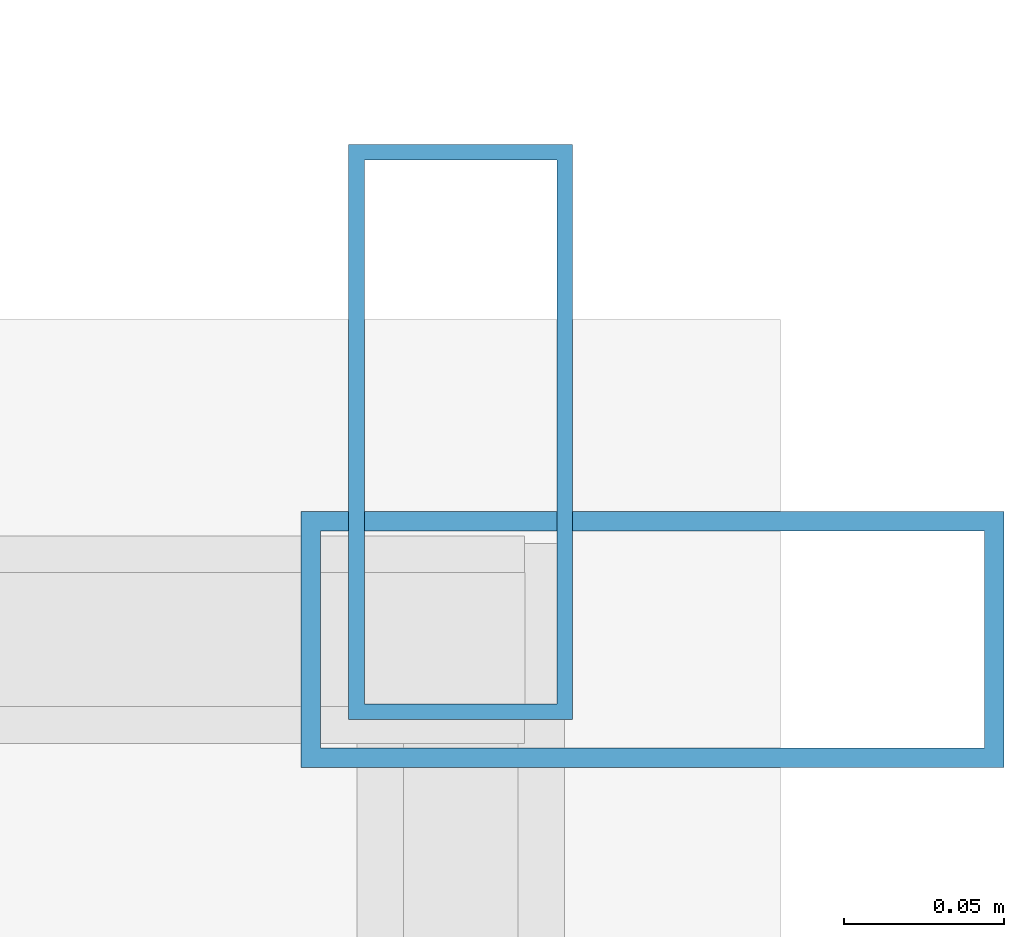
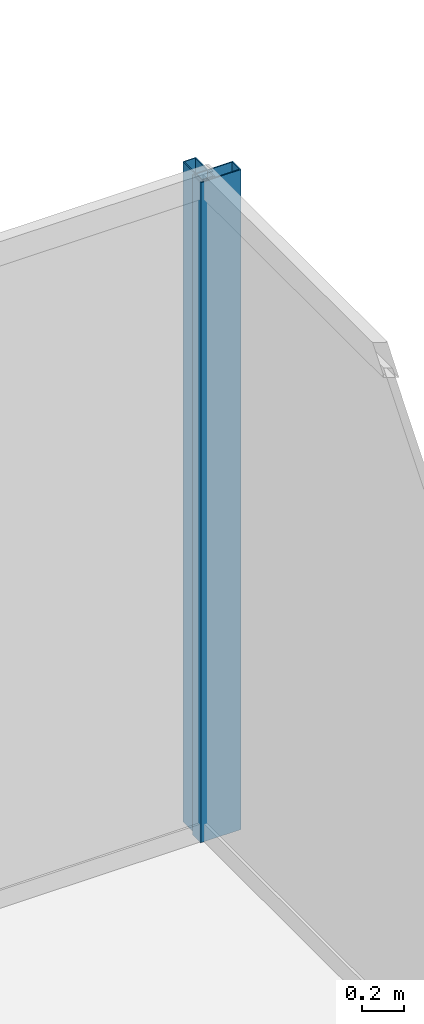
# One storey, part 26 of 35: 2 members, 2 elements without a shape of their own.
"""IFC4 building model written with IfcOpenShell, lengths in metres."""

from ifc_helpers import new_model, si_unit, direction, frame, origin, origin_2d, place, context, subcontext, project, spatial, hollow_rectangle, extrude, source, transform, mapped, material, layer, layer_set, material_profile, profile_set, type_object, type_shapes, element, aggregate, save


model = new_model("IFC4")

# Units and contexts
model_context = context("Model", 3, precision=1e-05, world=origin(), true_north=direction((0.0, 1.0)))
body_context = subcontext(model_context, "Body", "Model", "MODEL_VIEW")
ifc_project = project(units=[si_unit("LENGTHUNIT", "METRE"), si_unit("AREAUNIT", "SQUARE_METRE"), si_unit("VOLUMEUNIT", "CUBIC_METRE"), si_unit("PLANEANGLEUNIT", "RADIAN"), si_unit("MASSUNIT", "GRAM", prefix="KILO")], contexts=[model_context])

# Site, building, storey
site_placement = place(None, origin())
site = spatial("IfcSite", under=ifc_project, at=site_placement, CompositionType="ELEMENT")
building_placement = place(site_placement, origin())
building = spatial("IfcBuilding", under=site, at=building_placement, Name="Haelvirn Gate Laboratories", CompositionType="ELEMENT")
storey_placement = place(building_placement, frame((0.0, 0.0, 221.89990234375)))
storey = spatial("IfcBuildingStorey", under=building, at=storey_placement, Name="L53", CompositionType="ELEMENT", Elevation=221.89990234375)

# Curtain wall, member
ifc_material_1 = material(Name="Anodised bronze unitised aluminium & triple low-E glass", Category="aluminium")
ifc_layer_1 = layer(ifc_material_1, 0.176025390625, Name="CW-SYS-4")
ifc_layer_set_1 = layer_set([ifc_layer_1], Name="Anodised bronze unitised aluminium & triple low-E glass")
curtain_wall_type_1 = type_object("IfcCurtainWallType", Name="CW-SYS-4", PredefinedType="NOTDEFINED", material=ifc_layer_set_1)
curtain_wall_1_placement = place(storey_placement, origin())
curtain_wall_1 = element("IfcCurtainWall", 1, at=curtain_wall_1_placement, inside=storey, type_object=curtain_wall_type_1, Name="L53 Unitised Curtain Wall CW-L53-P0-E07", PredefinedType="NOTDEFINED")
ifc_material_2 = material(Name="Extruded aluminium 6063-T6 (anodised bronze)", Category="aluminium")
ifc_material_profile_1 = material_profile(ifc_material_2, hollow_rectangle(XDim=0.070068359375, YDim=0.179931640625, WallThickness=0.0048828125, at=origin_2d()), Name="CWM-180x70x5")
ifc_profile_set_1 = profile_set([ifc_material_profile_1], Name="Extruded aluminium 6063-T6 (anodised bronze)")
member_type_1 = type_object("IfcMemberType", Name="CWM-T180", PredefinedType="MULLION", material=ifc_profile_set_1)
shared_shape_1 = source(origin(), body_context, "Body", "SweptSolid", [
    extrude(hollow_rectangle(XDim=0.070068359375, YDim=0.179931640625, WallThickness=0.0048828125, at=origin_2d()), origin(), (0.0, 0.0, 1.0), 3.800048828125),
])
type_shapes(member_type_1, [shared_shape_1])
member_1_placement = place(storey_placement, frame((70.699951171875, 42.764892578125, 0.0), z_axis=(0.0, 0.0, 1.0), x_axis=(-1.0, 0.0, 0.0)))
member_1 = element("IfcMember", 2, at=member_1_placement, type_object=member_type_1, Name="CW4 mullion 3", PredefinedType="MULLION", context=body_context, shape_type="MappedRepresentation", body=[
    mapped(shared_shape_1, transform((0.0, 0.0, 0.0), scale=1.0)),
])
aggregate(curtain_wall_1, [member_1])

ifc_layer_2 = layer(ifc_material_1, 0.181884765625, Name="CW-SYS-5")
ifc_layer_set_2 = layer_set([ifc_layer_2], Name="Anodised bronze unitised aluminium & triple low-E glass")
curtain_wall_type_2 = type_object("IfcCurtainWallType", Name="CW-SYS-5", PredefinedType="NOTDEFINED", material=ifc_layer_set_2)
curtain_wall_2_placement = place(storey_placement, origin())
curtain_wall_2 = element("IfcCurtainWall", 3, at=curtain_wall_2_placement, inside=storey, type_object=curtain_wall_type_2, Name="L53 Unitised Curtain Wall CW-L53-P0-E08-1", PredefinedType="NOTDEFINED")
ifc_material_profile_2 = material_profile(ifc_material_2, hollow_rectangle(XDim=0.080078125, YDim=0.219970703125, WallThickness=0.006103515625, at=origin_2d()), Name="CWM-220x80x6")
ifc_profile_set_2 = profile_set([ifc_material_profile_2], Name="Extruded aluminium 6063-T6 (anodised bronze)")
member_type_2 = type_object("IfcMemberType", Name="CWM-T220", PredefinedType="MULLION", material=ifc_profile_set_2)
shared_shape_2 = source(origin(), body_context, "Body", "SweptSolid", [
    extrude(hollow_rectangle(XDim=0.080078125, YDim=0.219970703125, WallThickness=0.006103515625, at=origin_2d()), origin(), (0.0, 0.0, 1.0), 3.800048828125),
])
type_shapes(member_type_2, [shared_shape_2])
member_2_placement = place(storey_placement, frame((70.760009765625, 42.699951171875, 0.0), z_axis=(0.0, 0.0, 1.0), x_axis=(0.0, 1.0, 0.0)))
member_2 = element("IfcMember", 4, at=member_2_placement, type_object=member_type_2, Name="CW5 mullion 2", PredefinedType="MULLION", context=body_context, shape_type="MappedRepresentation", body=[
    mapped(shared_shape_2, transform((0.0, 0.0, 0.0), scale=1.0)),
])
aggregate(curtain_wall_2, [member_2])

save(model, "model.ifc")
